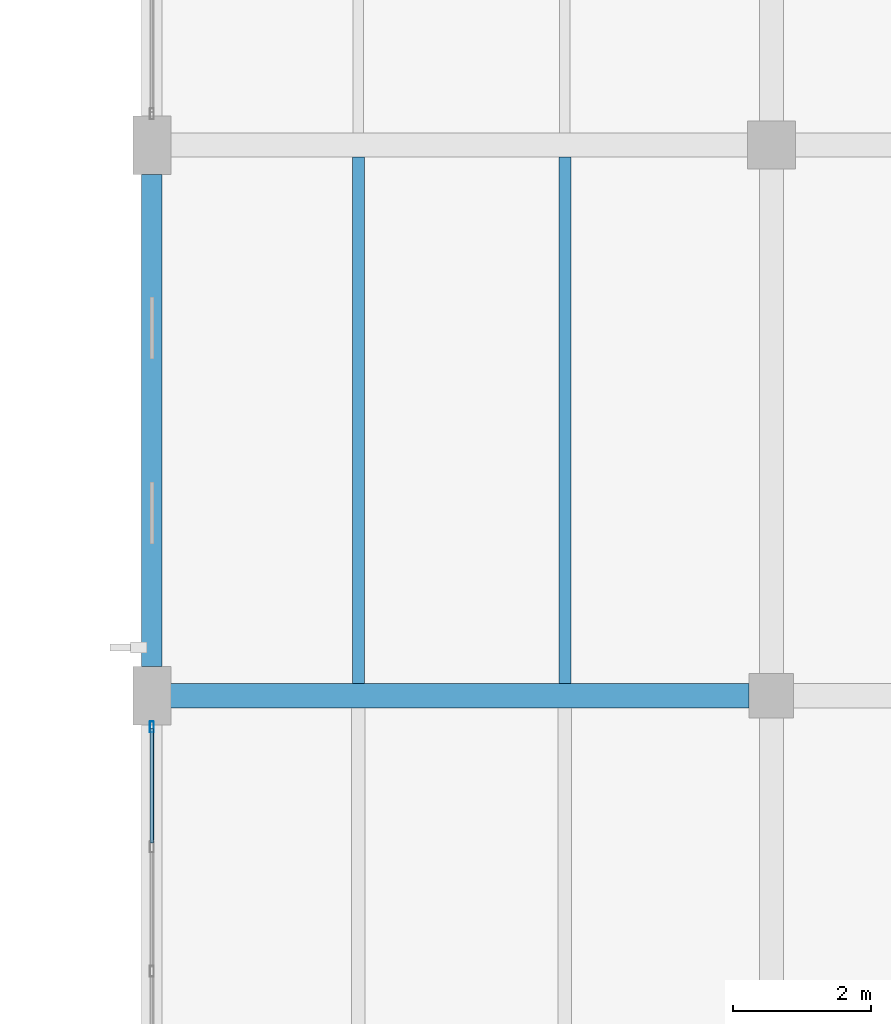
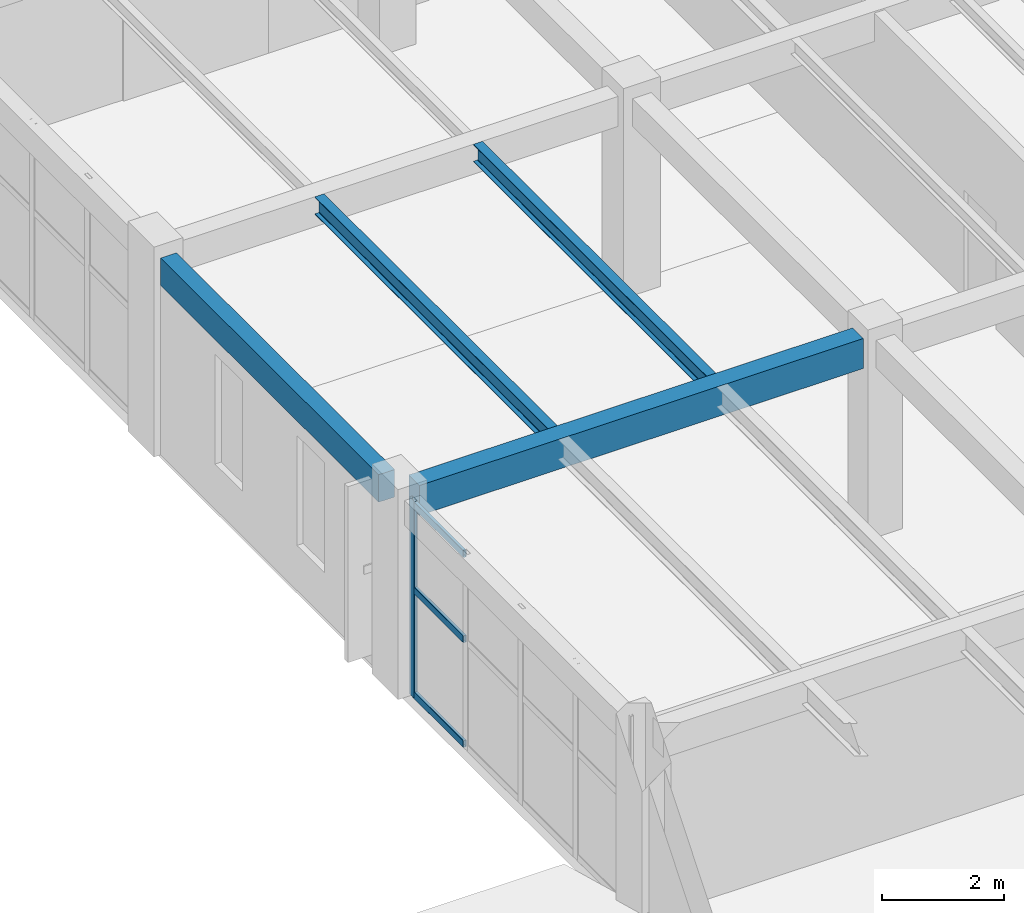
# One storey, part 24 of 71: 4 beams, 4 members, 1 element without a shape of its own.
"""IFC4 building model written with IfcOpenShell, lengths in metres."""

from ifc_helpers import new_model, si_unit, derived_unit, direction, frame, origin, origin_2d, place, context, subcontext, project, spatial, rectangle, hollow_rectangle, i_section, extrude, material, material_profile, profile_set, type_object, element, aggregate, save


model = new_model("IFC4")

# Units and contexts
model_context = context("Model", 3, precision=1e-05, world=origin(), true_north=direction((0.0, 1.0)))
body_context = subcontext(model_context, "Body", "Model", "MODEL_VIEW")
ifc_project = project(units=[si_unit("LENGTHUNIT", "METRE"), si_unit("AREAUNIT", "SQUARE_METRE"), si_unit("VOLUMEUNIT", "CUBIC_METRE"), si_unit("PLANEANGLEUNIT", "RADIAN"), si_unit("MASSUNIT", "GRAM", prefix="KILO"), derived_unit("THERMALTRANSMITTANCEUNIT", [(si_unit("MASSUNIT", "GRAM", prefix="KILO"), 1), (si_unit("TIMEUNIT", "SECOND"), -3), (si_unit("THERMODYNAMICTEMPERATUREUNIT", "KELVIN"), -1)])], contexts=[model_context])

# Site, building, storey
site_placement = place(None, origin())
site = spatial("IfcSite", under=ifc_project, at=site_placement, CompositionType="ELEMENT")
building_placement = place(site_placement, origin())
building = spatial("IfcBuilding", under=site, at=building_placement, Name="Zhenchuan Archway Interchange", CompositionType="ELEMENT")
storey_placement = place(building_placement, frame((0.0, 0.0, 18.60009765625)))
storey = spatial("IfcBuildingStorey", under=building, at=storey_placement, Name="L04", CompositionType="ELEMENT", Elevation=18.60009765625)

# Beam
ifc_material_1 = material(Name="Concrete C40", Category="concrete")
ifc_material_profile_1 = material_profile(ifc_material_1, rectangle(XDim=0.35009765625, YDim=0.60009765625, at=origin_2d()), Name="RC 350x600")
ifc_profile_set_1 = profile_set([ifc_material_profile_1], Name="Concrete C40")
beam_type_1 = type_object("IfcBeamType", Name="BM_RC_350x600", PredefinedType="BEAM", material=ifc_profile_set_1)
beam_1_placement = place(storey_placement, frame((144.27490234375, 32.0, 3.639892578125), z_axis=(1.0, 0.0, 0.0), x_axis=(0.0, 1.0, 0.0)))
element("IfcBeam", 1, at=beam_1_placement, inside=storey, type_object=beam_type_1, Name="Beam E:17-18 (L04)", PredefinedType="BEAM", context=body_context, shape_type="SweptSolid", body=[
    extrude(rectangle(XDim=0.35009765625, YDim=0.60009765625, at=origin_2d()), origin(), (0.0, 0.0, 1.0), 8.400146484375),
])

# Curtain wall, members
ifc_material_2 = material(Name="Anodised Aluminium", Category="aluminium")
curtain_wall_type = type_object("IfcCurtainWallType", Name="CW_UNIT_2", PredefinedType="NOTDEFINED", material=ifc_material_2)
curtain_wall_placement = place(storey_placement, origin())
curtain_wall = element("IfcCurtainWall", 2, at=curtain_wall_placement, inside=storey, type_object=curtain_wall_type, Name="Unitised curtain wall CW:L04:189", PredefinedType="NOTDEFINED")
ifc_material_profile_2 = material_profile(ifc_material_2, hollow_rectangle(XDim=0.06005859375, YDim=0.159912109375, WallThickness=0.00390625, InnerFilletRadius=0.00390625, OuterFilletRadius=0.008056640625, at=origin_2d()), Name="ALU 160x60x4")
ifc_profile_set_2 = profile_set([ifc_material_profile_2], Name="Anodised Aluminium")
member_type_1 = type_object("IfcMemberType", Name="CW_MUL_150", PredefinedType="MULLION", material=ifc_profile_set_2)
member_1_placement = place(storey_placement, frame((144.0, 31.547119140625, 0.0), z_axis=(0.0, 0.0, 1.0), x_axis=(1.0, 0.0, 0.0)))
member_1 = element("IfcMember", 3, at=member_1_placement, type_object=member_type_1, Name="CW:L04:189 mullion 4", PredefinedType="MULLION", context=body_context, shape_type="SweptSolid", body=[
    extrude(hollow_rectangle(XDim=0.06005859375, YDim=0.159912109375, WallThickness=0.00390625, InnerFilletRadius=0.00390625, OuterFilletRadius=0.008056640625, at=origin_2d()), origin(), (0.0, 0.0, 1.0), 3.93994140625),
])
ifc_material_profile_3 = material_profile(ifc_material_2, hollow_rectangle(XDim=0.06005859375, YDim=0.139892578125, WallThickness=0.00341796875, InnerFilletRadius=0.00341796875, OuterFilletRadius=0.007080078125, at=origin_2d()), Name="ALU 140x60x3.5")
ifc_profile_set_3 = profile_set([ifc_material_profile_3], Name="Anodised Aluminium")
member_type_2 = type_object("IfcMemberType", Name="CW_TRN_140", PredefinedType="USERDEFINED", material=ifc_profile_set_3)
member_2_placement = place(storey_placement, frame((144.0, 29.863525390625, 0.059814453125), z_axis=(0.0, 1.0, 0.0), x_axis=(-1.0, 0.0, 0.0)))
member_2 = element("IfcMember", 4, at=member_2_placement, type_object=member_type_2, Name="CW:L04:189 transom 3-1", ObjectType="TRANSOM", PredefinedType="USERDEFINED", context=body_context, shape_type="SweptSolid", body=[
    extrude(hollow_rectangle(XDim=0.06005859375, YDim=0.139892578125, WallThickness=0.00341796875, InnerFilletRadius=0.00341796875, OuterFilletRadius=0.007080078125, at=origin_2d()), origin(), (0.0, 0.0, 1.0), 1.66357421875),
])
member_3_placement = place(storey_placement, frame((144.0, 29.863525390625, 2.156005859375), z_axis=(0.0, 1.0, 0.0), x_axis=(-1.0, 0.0, 0.0)))
member_3 = element("IfcMember", 5, at=member_3_placement, type_object=member_type_2, Name="CW:L04:189 transom 3-2", ObjectType="TRANSOM", PredefinedType="USERDEFINED", context=body_context, shape_type="SweptSolid", body=[
    extrude(hollow_rectangle(XDim=0.06005859375, YDim=0.139892578125, WallThickness=0.00341796875, InnerFilletRadius=0.00341796875, OuterFilletRadius=0.007080078125, at=origin_2d()), origin(), (0.0, 0.0, 1.0), 1.66357421875),
])
member_4_placement = place(storey_placement, frame((144.0, 29.863525390625, 3.85986328125), z_axis=(0.0, 1.0, 0.0), x_axis=(-1.0, 0.0, 0.0)))
member_4 = element("IfcMember", 6, at=member_4_placement, type_object=member_type_2, Name="CW:L04:189 transom 3-3", ObjectType="TRANSOM", PredefinedType="USERDEFINED", context=body_context, shape_type="SweptSolid", body=[
    extrude(hollow_rectangle(XDim=0.06005859375, YDim=0.139892578125, WallThickness=0.00341796875, InnerFilletRadius=0.00341796875, OuterFilletRadius=0.007080078125, at=origin_2d()), origin(), (0.0, 0.0, 1.0), 1.66357421875),
])
aggregate(curtain_wall, [member_1, member_2, member_3, member_4])

# Beams
ifc_material_3 = material(Name="Steel Q355", Category="steel")
ifc_material_profile_4 = material_profile(ifc_material_3, i_section(OverallWidth=0.175048828125, OverallDepth=0.35009765625, WebThickness=0.007080078125, FlangeThickness=0.010986328125, FilletRadius=0.013916015625, at=origin_2d()), Name="HN 350x175")
ifc_profile_set_4 = profile_set([ifc_material_profile_4], Name="Steel Q355")
beam_type_2 = type_object("IfcBeamType", Name="JST_STL_HN350", PredefinedType="JOIST", material=ifc_profile_set_4)
for number, where, z_axis, x_axis, name in (
    (7, (147.0, 32.175048828125, 3.764892578125), (0.0, 1.0, 0.0), (-1.0, 0.0, 0.0), "Secondary joist 17-18/E-F #1 (L04)"),
    (8, (150.0, 32.175048828125, 3.764892578125), (0.0, 1.0, 0.0), (-1.0, 0.0, 0.0), "Secondary joist 17-18/E-F #2 (L04)"),
):
    element("IfcBeam", number, at=place(storey_placement, frame(where, z_axis=z_axis, x_axis=x_axis)), inside=storey, type_object=beam_type_2, Name=name, PredefinedType="JOIST", context=body_context, shape_type="SweptSolid", body=[
        extrude(i_section(OverallWidth=0.175048828125, OverallDepth=0.35009765625, WebThickness=0.007080078125, FlangeThickness=0.010986328125, FilletRadius=0.013916015625, at=origin_2d()), origin(), (0.0, 0.0, 1.0), 7.64990234375),
    ])
ifc_material_profile_5 = material_profile(ifc_material_1, rectangle(XDim=0.300048828125, YDim=0.550048828125, at=origin_2d()), Name="RC 300x550")
ifc_profile_set_5 = profile_set([ifc_material_profile_5], Name="Concrete C40")
beam_type_3 = type_object("IfcBeamType", Name="SP_RC_300x550", PredefinedType="SPANDREL", material=ifc_profile_set_5)
beam_2_placement = place(storey_placement, frame((144.0, 32.425048828125, 3.664794921875), z_axis=(0.0, 1.0, 0.0), x_axis=(-1.0, 0.0, 0.0)))
element("IfcBeam", 9, at=beam_2_placement, inside=storey, type_object=beam_type_3, Name="Beam 17:E-F (L04)", PredefinedType="SPANDREL", context=body_context, shape_type="SweptSolid", body=[
    extrude(rectangle(XDim=0.300048828125, YDim=0.550048828125, at=origin_2d()), origin(), (0.0, 0.0, 1.0), 7.14990234375),
])

save(model, "model.ifc")
